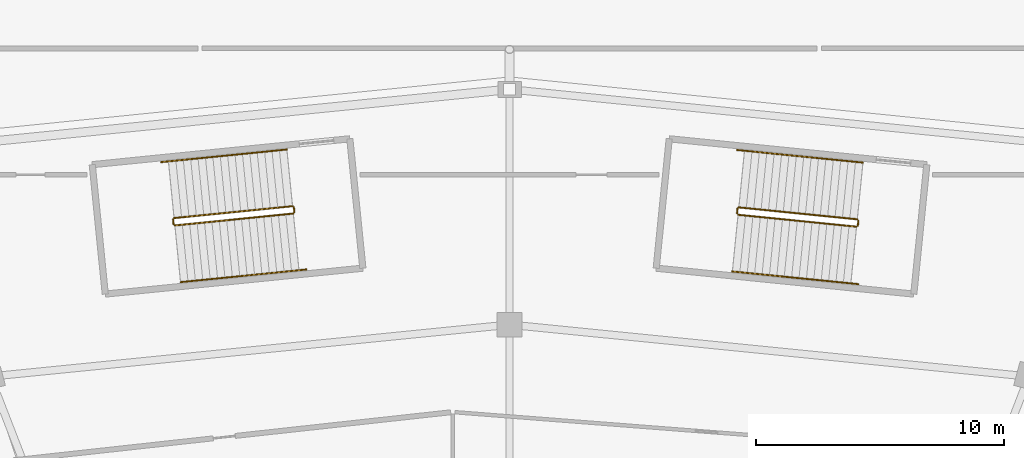
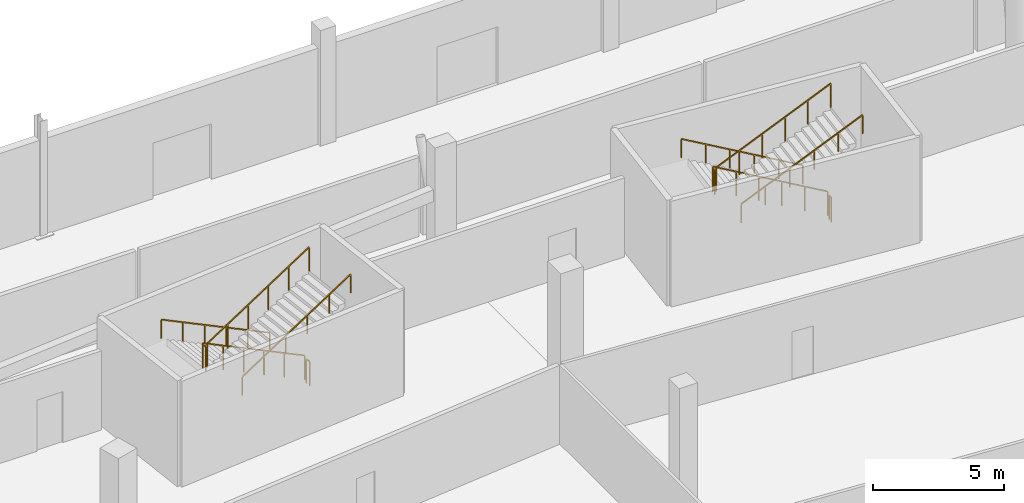
# One storey, part 80 of 82: 12 railings.
"""IFC4 building model written with IfcOpenShell, lengths in metres."""

from ifc_helpers import new_model, si_unit, direction, frame, origin, origin_2d, place, context, subcontext, project, spatial, rectangle, extrude, material, type_object, element, save


model = new_model("IFC4")

# Units and contexts
model_context = context("Model", 3, precision=1e-05, world=origin(), true_north=direction((0.0, 1.0)))
body_context = subcontext(model_context, "Body", "Model", "MODEL_VIEW")
ifc_project = project(units=[si_unit("LENGTHUNIT", "METRE"), si_unit("AREAUNIT", "SQUARE_METRE"), si_unit("VOLUMEUNIT", "CUBIC_METRE"), si_unit("PLANEANGLEUNIT", "RADIAN"), si_unit("MASSUNIT", "GRAM", prefix="KILO")], contexts=[model_context])

# Site, building, storey
site_placement = place(None, origin())
site = spatial("IfcSite", under=ifc_project, at=site_placement, CompositionType="ELEMENT")
building_placement = place(site_placement, origin())
building = spatial("IfcBuilding", under=site, at=building_placement, Name="Zlatoyarsky Gate Stadium", CompositionType="ELEMENT")
storey_placement = place(building_placement, origin())
storey = spatial("IfcBuildingStorey", under=building, at=storey_placement, Name="L00", CompositionType="ELEMENT", Elevation=0.0)

# Railings
ifc_material_1 = material(Name="Powder-coated steel stair guardrail", Category="steel")
railing_type_1 = type_object("IfcRailingType", Name="PAINTED STEEL STAIR WELL GUARDRAIL 1150", PredefinedType="GUARDRAIL", material=ifc_material_1)
railing_1_placement = place(storey_placement, frame((102.239013671875, 146.282470703125, 0.158935546875)))
element("IfcRailing", 1, at=railing_1_placement, inside=storey, type_object=railing_type_1, Name="ST-04 L00 stair guard 1", PredefinedType="GUARDRAIL", context=body_context, shape_type="SweptSolid", body=[
    extrude(rectangle(XDim=0.048095703125, YDim=0.048095703125, at=origin_2d()), frame((0.0, 0.0, 1.1259765625), z_axis=(-0.879377991235, -0.088373824606, 0.46785084766), x_axis=(0.099992171352, -0.994988223884, 0.0)), (0.0, 0.0, 1.0), 5.43115234375),
    extrude(rectangle(XDim=0.0419921875, YDim=0.0419921875, at=origin_2d()), origin(), (0.0, 0.0, 1.0), 1.101806640625),
    extrude(rectangle(XDim=0.0419921875, YDim=0.0419921875, at=origin_2d()), frame((-0.955322265625, -0.095947265625, 0.50830078125)), (0.0, 0.0, 1.0), 1.101806640625),
    extrude(rectangle(XDim=0.0419921875, YDim=0.0419921875, at=origin_2d()), frame((-1.910400390625, -0.19189453125, 1.016357421875)), (0.0, 0.0, 1.0), 1.101806640625),
    extrude(rectangle(XDim=0.0419921875, YDim=0.0419921875, at=origin_2d()), frame((-2.86572265625, -0.2880859375, 1.524658203125)), (0.0, 0.0, 1.0), 1.101806640625),
    extrude(rectangle(XDim=0.0419921875, YDim=0.0419921875, at=origin_2d()), frame((-3.82080078125, -0.384033203125, 2.03271484375)), (0.0, 0.0, 1.0), 1.101806640625),
    extrude(rectangle(XDim=0.0419921875, YDim=0.0419921875, at=origin_2d()), frame((-4.776123046875, -0.47998046875, 2.541015625)), (0.0, 0.0, 1.0), 1.101806640625),
])
railing_2_placement = place(storey_placement, frame((97.418212890625, 145.747802734375, 2.699951171875)))
element("IfcRailing", 2, at=railing_2_placement, inside=storey, type_object=railing_type_1, Name="ST-04 L00 stair guard 2", PredefinedType="GUARDRAIL", context=body_context, shape_type="SweptSolid", body=[
    extrude(rectangle(XDim=0.048095703125, YDim=0.048095703125, at=origin_2d()), frame((0.0, 0.0, 1.1259765625), z_axis=(0.100108072026, -0.994976569531, 0.0), x_axis=(0.994976569531, 0.100108072026, 0.0)), (0.0, 0.0, 1.0), 0.199951171875),
    extrude(rectangle(XDim=0.0419921875, YDim=0.0419921875, at=origin_2d()), origin(), (0.0, 0.0, 1.0), 1.101806640625),
    extrude(rectangle(XDim=0.0419921875, YDim=0.0419921875, at=origin_2d()), frame((0.02001953125, -0.198974609375, 0.0)), (0.0, 0.0, 1.0), 1.101806640625),
])
railing_3_placement = place(storey_placement, frame((97.492919921875, 145.504150390625, 2.85888671875)))
element("IfcRailing", 3, at=railing_3_placement, inside=storey, type_object=railing_type_1, Name="ST-04 L00 stair guard 3", PredefinedType="GUARDRAIL", context=body_context, shape_type="SweptSolid", body=[
    extrude(rectangle(XDim=0.048095703125, YDim=0.048095703125, at=origin_2d()), frame((0.0, 0.0, 1.1259765625), z_axis=(0.879367800475, 0.088377318052, 0.467869341956), x_axis=(-0.099997231792, 0.994987715318, 0.0)), (0.0, 0.0, 1.0), 5.43115234375),
    extrude(rectangle(XDim=0.0419921875, YDim=0.0419921875, at=origin_2d()), origin(), (0.0, 0.0, 1.0), 1.101806640625),
    extrude(rectangle(XDim=0.0419921875, YDim=0.0419921875, at=origin_2d()), frame((0.955078125, 0.095947265625, 0.50830078125)), (0.0, 0.0, 1.0), 1.101806640625),
    extrude(rectangle(XDim=0.0419921875, YDim=0.0419921875, at=origin_2d()), frame((1.910400390625, 0.19189453125, 1.016357421875)), (0.0, 0.0, 1.0), 1.101806640625),
    extrude(rectangle(XDim=0.0419921875, YDim=0.0419921875, at=origin_2d()), frame((2.865478515625, 0.2880859375, 1.524658203125)), (0.0, 0.0, 1.0), 1.101806640625),
    extrude(rectangle(XDim=0.0419921875, YDim=0.0419921875, at=origin_2d()), frame((3.82080078125, 0.384033203125, 2.03271484375)), (0.0, 0.0, 1.0), 1.101806640625),
    extrude(rectangle(XDim=0.0419921875, YDim=0.0419921875, at=origin_2d()), frame((4.77587890625, 0.47998046875, 2.541015625)), (0.0, 0.0, 1.0), 1.101806640625),
])
railing_4_placement = place(storey_placement, frame((102.293701171875, 146.23779296875, 0.0)))
element("IfcRailing", 4, at=railing_4_placement, inside=storey, type_object=railing_type_1, Name="ST-04 L00 stair guard 4", PredefinedType="GUARDRAIL", context=body_context, shape_type="SweptSolid", body=[
    extrude(rectangle(XDim=0.048095703125, YDim=0.048095703125, at=origin_2d()), frame((0.0, 0.0, 1.1259765625), z_axis=(0.100108072026, -0.994976569531, 0.0), x_axis=(0.994976569531, 0.100108072026, 0.0)), (0.0, 0.0, 1.0), 0.199951171875),
    extrude(rectangle(XDim=0.0419921875, YDim=0.0419921875, at=origin_2d()), origin(), (0.0, 0.0, 1.0), 1.101806640625),
    extrude(rectangle(XDim=0.0419921875, YDim=0.0419921875, at=origin_2d()), frame((0.02001953125, -0.198974609375, 0.0)), (0.0, 0.0, 1.0), 1.101806640625),
])
railing_5_placement = place(storey_placement, frame((125.03466796875, 145.752685546875, 0.158935546875)))
element("IfcRailing", 5, at=railing_5_placement, inside=storey, type_object=railing_type_1, Name="ST-17 L00 stair guard 1", PredefinedType="GUARDRAIL", context=body_context, shape_type="SweptSolid", body=[
    extrude(rectangle(XDim=0.048095703125, YDim=0.048095703125, at=origin_2d()), frame((0.0, 0.0, 1.1259765625), z_axis=(-0.879377991235, 0.088373824606, 0.46785084766), x_axis=(-0.099992171352, -0.994988223884, 0.0)), (0.0, 0.0, 1.0), 5.43115234375),
    extrude(rectangle(XDim=0.0419921875, YDim=0.0419921875, at=origin_2d()), origin(), (0.0, 0.0, 1.0), 1.101806640625),
    extrude(rectangle(XDim=0.0419921875, YDim=0.0419921875, at=origin_2d()), frame((-0.955322265625, 0.095947265625, 0.50830078125)), (0.0, 0.0, 1.0), 1.101806640625),
    extrude(rectangle(XDim=0.0419921875, YDim=0.0419921875, at=origin_2d()), frame((-1.910400390625, 0.19189453125, 1.016357421875)), (0.0, 0.0, 1.0), 1.101806640625),
    extrude(rectangle(XDim=0.0419921875, YDim=0.0419921875, at=origin_2d()), frame((-2.86572265625, 0.2880859375, 1.524658203125)), (0.0, 0.0, 1.0), 1.101806640625),
    extrude(rectangle(XDim=0.0419921875, YDim=0.0419921875, at=origin_2d()), frame((-3.82080078125, 0.384033203125, 2.03271484375)), (0.0, 0.0, 1.0), 1.101806640625),
    extrude(rectangle(XDim=0.0419921875, YDim=0.0419921875, at=origin_2d()), frame((-4.776123046875, 0.47998046875, 2.541015625)), (0.0, 0.0, 1.0), 1.101806640625),
])
railing_6_placement = place(storey_placement, frame((120.203857421875, 146.18798828125, 2.699951171875)))
element("IfcRailing", 6, at=railing_6_placement, inside=storey, type_object=railing_type_1, Name="ST-17 L00 stair guard 2", PredefinedType="GUARDRAIL", context=body_context, shape_type="SweptSolid", body=[
    extrude(rectangle(XDim=0.048095703125, YDim=0.048095703125, at=origin_2d()), frame((0.0, 0.0, 1.1259765625), z_axis=(-0.099986617797, -0.994988781978, 0.0), x_axis=(0.994988781978, -0.099986617797, 0.0)), (0.0, 0.0, 1.0), 0.2001953125),
    extrude(rectangle(XDim=0.0419921875, YDim=0.0419921875, at=origin_2d()), origin(), (0.0, 0.0, 1.0), 1.101806640625),
    extrude(rectangle(XDim=0.0419921875, YDim=0.0419921875, at=origin_2d()), frame((-0.02001953125, -0.19921875, 0.0)), (0.0, 0.0, 1.0), 1.101806640625),
])
railing_7_placement = place(storey_placement, frame((120.228515625, 145.93408203125, 2.85888671875)))
element("IfcRailing", 7, at=railing_7_placement, inside=storey, type_object=railing_type_1, Name="ST-17 L00 stair guard 3", PredefinedType="GUARDRAIL", context=body_context, shape_type="SweptSolid", body=[
    extrude(rectangle(XDim=0.048095703125, YDim=0.048095703125, at=origin_2d()), frame((0.0, 0.0, 1.1259765625), z_axis=(0.879377991235, -0.088373824606, 0.46785084766), x_axis=(0.099992171352, 0.994988223884, 0.0)), (0.0, 0.0, 1.0), 5.43115234375),
    extrude(rectangle(XDim=0.0419921875, YDim=0.0419921875, at=origin_2d()), origin(), (0.0, 0.0, 1.0), 1.101806640625),
    extrude(rectangle(XDim=0.0419921875, YDim=0.0419921875, at=origin_2d()), frame((0.955322265625, -0.095947265625, 0.50830078125)), (0.0, 0.0, 1.0), 1.101806640625),
    extrude(rectangle(XDim=0.0419921875, YDim=0.0419921875, at=origin_2d()), frame((1.910400390625, -0.19189453125, 1.016357421875)), (0.0, 0.0, 1.0), 1.101806640625),
    extrude(rectangle(XDim=0.0419921875, YDim=0.0419921875, at=origin_2d()), frame((2.86572265625, -0.2880859375, 1.524658203125)), (0.0, 0.0, 1.0), 1.101806640625),
    extrude(rectangle(XDim=0.0419921875, YDim=0.0419921875, at=origin_2d()), frame((3.82080078125, -0.384033203125, 2.03271484375)), (0.0, 0.0, 1.0), 1.101806640625),
    extrude(rectangle(XDim=0.0419921875, YDim=0.0419921875, at=origin_2d()), frame((4.776123046875, -0.47998046875, 2.541015625)), (0.0, 0.0, 1.0), 1.101806640625),
])
railing_8_placement = place(storey_placement, frame((125.079345703125, 145.69775390625, 0.0)))
element("IfcRailing", 8, at=railing_8_placement, inside=storey, type_object=railing_type_1, Name="ST-17 L00 stair guard 4", PredefinedType="GUARDRAIL", context=body_context, shape_type="SweptSolid", body=[
    extrude(rectangle(XDim=0.048095703125, YDim=0.048095703125, at=origin_2d()), frame((0.0, 0.0, 1.1259765625), z_axis=(-0.100108072026, -0.994976569531, 0.0), x_axis=(0.994976569531, -0.100108072026, 0.0)), (0.0, 0.0, 1.0), 0.199951171875),
    extrude(rectangle(XDim=0.0419921875, YDim=0.0419921875, at=origin_2d()), origin(), (0.0, 0.0, 1.0), 1.101806640625),
    extrude(rectangle(XDim=0.0419921875, YDim=0.0419921875, at=origin_2d()), frame((-0.02001953125, -0.198974609375, 0.0)), (0.0, 0.0, 1.0), 1.101806640625),
])
ifc_material_2 = material(Name="Brushed stainless steel 316 handrail", Category="steel")
railing_type_2 = type_object("IfcRailingType", Name="STAINLESS STEEL TUBULAR HANDRAIL 900", PredefinedType="HANDRAIL", material=ifc_material_2)
railing_9_placement = place(storey_placement, frame((102.0087890625, 148.571044921875, 0.162841796875)))
element("IfcRailing", 9, at=railing_9_placement, inside=storey, type_object=railing_type_2, Name="ST-04 L00 stair handrail 1", PredefinedType="HANDRAIL", context=body_context, shape_type="SweptSolid", body=[
    extrude(rectangle(XDim=0.048095703125, YDim=0.048095703125, at=origin_2d()), frame((0.0, 0.0, 0.8759765625), z_axis=(-0.879352690417, -0.088383745683, 0.467896526334), x_axis=(0.100006133008, -0.994986820697, 0.0)), (0.0, 0.0, 1.0), 5.7705078125),
    extrude(rectangle(XDim=0.0419921875, YDim=0.0419921875, at=origin_2d()), origin(), (0.0, 0.0, 1.0), 0.851806640625),
    extrude(rectangle(XDim=0.0419921875, YDim=0.0419921875, at=origin_2d()), frame((-1.014892578125, -0.10205078125, 0.5400390625)), (0.0, 0.0, 1.0), 0.851806640625),
    extrude(rectangle(XDim=0.0419921875, YDim=0.0419921875, at=origin_2d()), frame((-2.02978515625, -0.2041015625, 1.080078125)), (0.0, 0.0, 1.0), 0.851806640625),
    extrude(rectangle(XDim=0.0419921875, YDim=0.0419921875, at=origin_2d()), frame((-3.04443359375, -0.305908203125, 1.619873046875)), (0.0, 0.0, 1.0), 0.851806640625),
    extrude(rectangle(XDim=0.0419921875, YDim=0.0419921875, at=origin_2d()), frame((-4.059326171875, -0.407958984375, 2.159912109375)), (0.0, 0.0, 1.0), 0.851806640625),
    extrude(rectangle(XDim=0.0419921875, YDim=0.0419921875, at=origin_2d()), frame((-5.07421875, -0.510009765625, 2.699951171875)), (0.0, 0.0, 1.0), 0.851806640625),
])
railing_10_placement = place(storey_placement, frame((97.722900390625, 143.215576171875, 2.86279296875)))
element("IfcRailing", 10, at=railing_10_placement, inside=storey, type_object=railing_type_2, Name="ST-04 L00 stair handrail 2", PredefinedType="HANDRAIL", context=body_context, shape_type="SweptSolid", body=[
    extrude(rectangle(XDim=0.048095703125, YDim=0.048095703125, at=origin_2d()), frame((0.0, 0.0, 0.8759765625), z_axis=(0.879362283002, 0.088380457503, 0.467879118967), x_axis=(-0.100001369668, 0.994987299449, 0.0)), (0.0, 0.0, 1.0), 5.7705078125),
    extrude(rectangle(XDim=0.0419921875, YDim=0.0419921875, at=origin_2d()), origin(), (0.0, 0.0, 1.0), 0.851806640625),
    extrude(rectangle(XDim=0.0419921875, YDim=0.0419921875, at=origin_2d()), frame((1.014892578125, 0.10205078125, 0.5400390625)), (0.0, 0.0, 1.0), 0.851806640625),
    extrude(rectangle(XDim=0.0419921875, YDim=0.0419921875, at=origin_2d()), frame((2.02978515625, 0.2041015625, 1.080078125)), (0.0, 0.0, 1.0), 0.851806640625),
    extrude(rectangle(XDim=0.0419921875, YDim=0.0419921875, at=origin_2d()), frame((3.044677734375, 0.305908203125, 1.619873046875)), (0.0, 0.0, 1.0), 0.851806640625),
    extrude(rectangle(XDim=0.0419921875, YDim=0.0419921875, at=origin_2d()), frame((4.0595703125, 0.407958984375, 2.159912109375)), (0.0, 0.0, 1.0), 0.851806640625),
    extrude(rectangle(XDim=0.0419921875, YDim=0.0419921875, at=origin_2d()), frame((5.074462890625, 0.510009765625, 2.699951171875)), (0.0, 0.0, 1.0), 0.851806640625),
])
railing_11_placement = place(storey_placement, frame((125.2646484375, 148.041015625, 0.162841796875)))
element("IfcRailing", 11, at=railing_11_placement, inside=storey, type_object=railing_type_2, Name="ST-17 L00 stair handrail 1", PredefinedType="HANDRAIL", context=body_context, shape_type="SweptSolid", body=[
    extrude(rectangle(XDim=0.048095703125, YDim=0.048095703125, at=origin_2d()), frame((0.0, 0.0, 0.8759765625), z_axis=(-0.879362283002, 0.088380457503, 0.467879118967), x_axis=(-0.100001369668, -0.994987299449, 0.0)), (0.0, 0.0, 1.0), 5.7705078125),
    extrude(rectangle(XDim=0.0419921875, YDim=0.0419921875, at=origin_2d()), origin(), (0.0, 0.0, 1.0), 0.851806640625),
    extrude(rectangle(XDim=0.0419921875, YDim=0.0419921875, at=origin_2d()), frame((-1.014892578125, 0.10205078125, 0.5400390625)), (0.0, 0.0, 1.0), 0.851806640625),
    extrude(rectangle(XDim=0.0419921875, YDim=0.0419921875, at=origin_2d()), frame((-2.02978515625, 0.2041015625, 1.080078125)), (0.0, 0.0, 1.0), 0.851806640625),
    extrude(rectangle(XDim=0.0419921875, YDim=0.0419921875, at=origin_2d()), frame((-3.044677734375, 0.305908203125, 1.619873046875)), (0.0, 0.0, 1.0), 0.851806640625),
    extrude(rectangle(XDim=0.0419921875, YDim=0.0419921875, at=origin_2d()), frame((-4.0595703125, 0.407958984375, 2.159912109375)), (0.0, 0.0, 1.0), 0.851806640625),
    extrude(rectangle(XDim=0.0419921875, YDim=0.0419921875, at=origin_2d()), frame((-5.074462890625, 0.510009765625, 2.699951171875)), (0.0, 0.0, 1.0), 0.851806640625),
])
railing_12_placement = place(storey_placement, frame((119.99853515625, 143.645751953125, 2.86279296875)))
element("IfcRailing", 12, at=railing_12_placement, inside=storey, type_object=railing_type_2, Name="ST-17 L00 stair handrail 2", PredefinedType="HANDRAIL", context=body_context, shape_type="SweptSolid", body=[
    extrude(rectangle(XDim=0.048095703125, YDim=0.048095703125, at=origin_2d()), frame((0.0, 0.0, 0.8759765625), z_axis=(0.879362283002, -0.088380457503, 0.467879118967), x_axis=(0.100001369668, 0.994987299449, 0.0)), (0.0, 0.0, 1.0), 5.7705078125),
    extrude(rectangle(XDim=0.0419921875, YDim=0.0419921875, at=origin_2d()), origin(), (0.0, 0.0, 1.0), 0.851806640625),
    extrude(rectangle(XDim=0.0419921875, YDim=0.0419921875, at=origin_2d()), frame((1.014892578125, -0.10205078125, 0.5400390625)), (0.0, 0.0, 1.0), 0.851806640625),
    extrude(rectangle(XDim=0.0419921875, YDim=0.0419921875, at=origin_2d()), frame((2.02978515625, -0.2041015625, 1.080078125)), (0.0, 0.0, 1.0), 0.851806640625),
    extrude(rectangle(XDim=0.0419921875, YDim=0.0419921875, at=origin_2d()), frame((3.044677734375, -0.305908203125, 1.619873046875)), (0.0, 0.0, 1.0), 0.851806640625),
    extrude(rectangle(XDim=0.0419921875, YDim=0.0419921875, at=origin_2d()), frame((4.0595703125, -0.407958984375, 2.159912109375)), (0.0, 0.0, 1.0), 0.851806640625),
    extrude(rectangle(XDim=0.0419921875, YDim=0.0419921875, at=origin_2d()), frame((5.074462890625, -0.510009765625, 2.699951171875)), (0.0, 0.0, 1.0), 0.851806640625),
])

save(model, "model.ifc")
